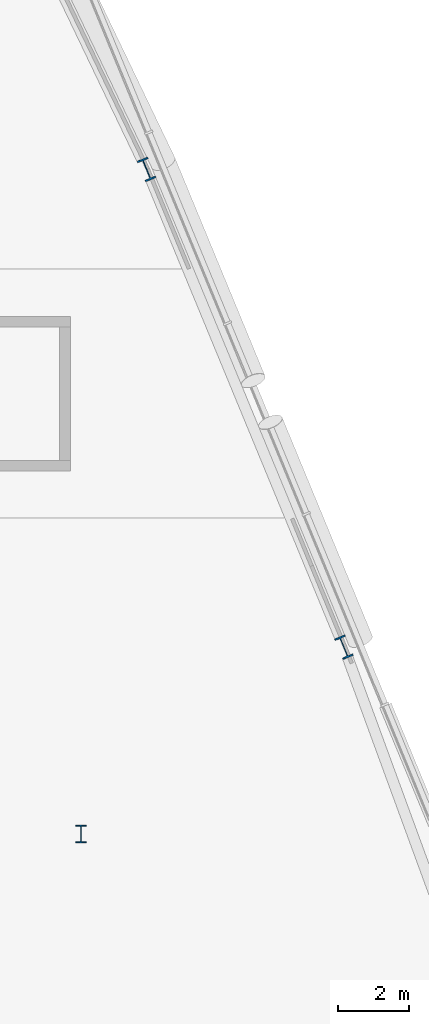
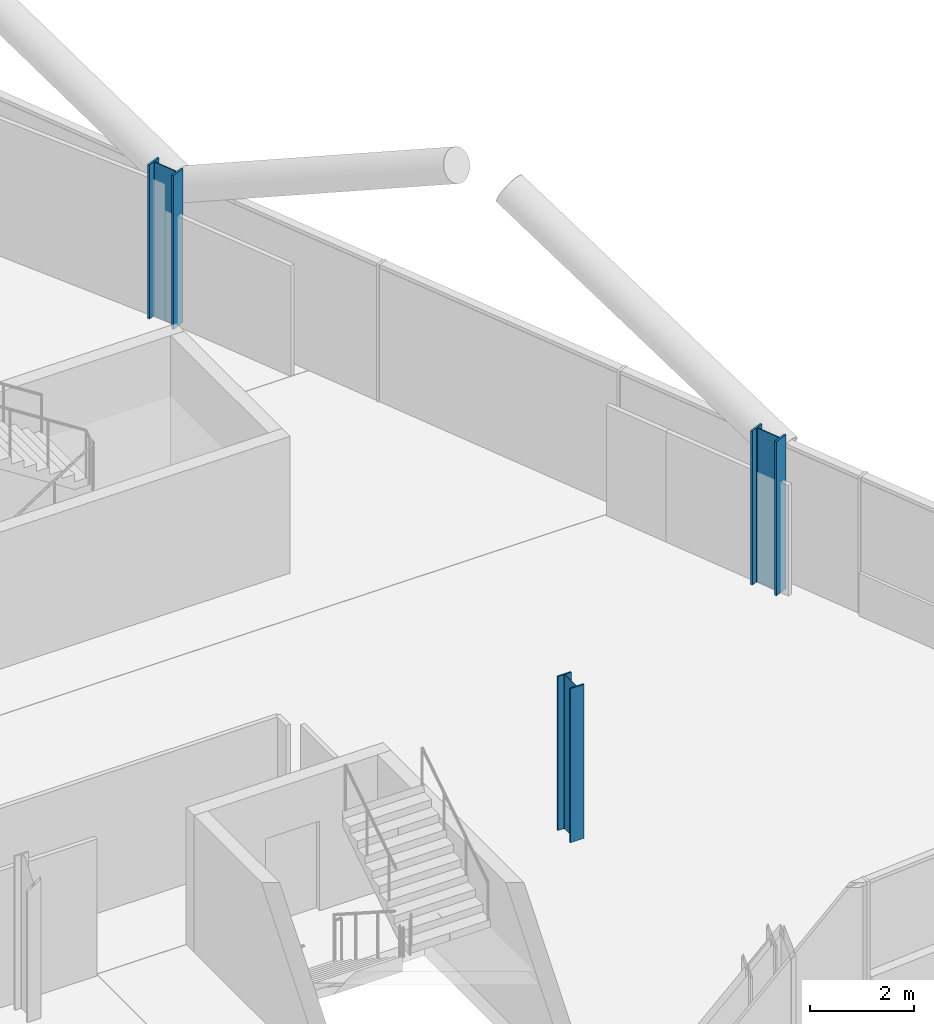
# One storey, part 5 of 26: 3 columns.
"""IFC4 building model written with IfcOpenShell, lengths in metres."""

from ifc_helpers import new_model, si_unit, direction, frame, origin, origin_2d, place, context, subcontext, project, spatial, i_section, extrude, material, material_profile, profile_set, type_object, element, save


model = new_model("IFC4")

# Units and contexts
model_context = context("Model", 3, precision=1e-05, world=origin(), true_north=direction((0.0, 1.0)))
body_context = subcontext(model_context, "Body", "Model", "MODEL_VIEW")
ifc_project = project(units=[si_unit("LENGTHUNIT", "METRE"), si_unit("AREAUNIT", "SQUARE_METRE"), si_unit("VOLUMEUNIT", "CUBIC_METRE"), si_unit("PLANEANGLEUNIT", "RADIAN"), si_unit("MASSUNIT", "GRAM", prefix="KILO")], contexts=[model_context])

# Site, building, storey
site_placement = place(None, origin())
site = spatial("IfcSite", under=ifc_project, at=site_placement, CompositionType="ELEMENT")
building_placement = place(site_placement, origin())
building = spatial("IfcBuilding", under=site, at=building_placement, Name="Wharfspan Tower", CompositionType="ELEMENT")
storey_placement = place(building_placement, frame((0.0, 0.0, 177.100098)))
storey = spatial("IfcBuildingStorey", under=building, at=storey_placement, Name="L43", CompositionType="ELEMENT", Elevation=177.100098)

# Columns
ifc_material = material(Name="Steel S355J2", Category="steel")
ifc_material_profile_1 = material_profile(ifc_material, i_section(OverallWidth=0.300049, OverallDepth=0.5, WebThickness=0.014404, FlangeThickness=0.028076, FilletRadius=0.0271, at=origin_2d()))
ifc_profile_set_1 = profile_set([ifc_material_profile_1], Name="Steel S355J2")
column_type_1 = type_object("IfcColumnType", Name="Column HEB 500", PredefinedType="COLUMN", material=ifc_profile_set_1)
column_placement = place(storey_placement, frame((72.0, 11.5, 0.0), z_axis=(0.0, 0.0, 1.0), x_axis=(1.0, 0.0, 0.0)))
element("IfcColumn", 1, at=column_placement, inside=storey, type_object=column_type_1, Name="Interior column I.1.5 L43", PredefinedType="COLUMN", context=body_context, shape_type="SweptSolid", body=[
    extrude(i_section(OverallWidth=0.300049, OverallDepth=0.5, WebThickness=0.014404, FlangeThickness=0.028076, FilletRadius=0.0271, at=origin_2d()), origin(), (0.0, 0.0, 1.0), 3.599854),
])
ifc_material_profile_2 = material_profile(ifc_material, i_section(OverallWidth=0.304932, OverallDepth=0.620117, WebThickness=0.020996, FlangeThickness=0.040039, FilletRadius=0.0271, at=origin_2d()))
ifc_profile_set_2 = profile_set([ifc_material_profile_2], Name="Steel S355J2")
column_type_2 = type_object("IfcColumnType", Name="Column HEM 600", PredefinedType="COLUMN", material=ifc_profile_set_2)
for number, where, z_axis, x_axis, name in (
    (2, (79.409668, 16.761719, 0.0), (0.0, 0.0, 1.0), (0.924325, 0.381602, 0.0), "Perimeter column PE.1 L43"),
    (3, (73.85376, 30.219238, 0.0), (0.0, 0.0, 1.0), (0.924325, 0.381602, 0.0), "Perimeter column PE.2 L43"),
):
    element("IfcColumn", number, at=place(storey_placement, frame(where, z_axis=z_axis, x_axis=x_axis)), inside=storey, type_object=column_type_2, Name=name, PredefinedType="COLUMN", context=body_context, shape_type="SweptSolid", body=[
        extrude(i_section(OverallWidth=0.304932, OverallDepth=0.620117, WebThickness=0.020996, FlangeThickness=0.040039, FilletRadius=0.0271, at=origin_2d()), origin(), (0.0, 0.0, 1.0), 3.599854),
    ])

save(model, "model.ifc")
